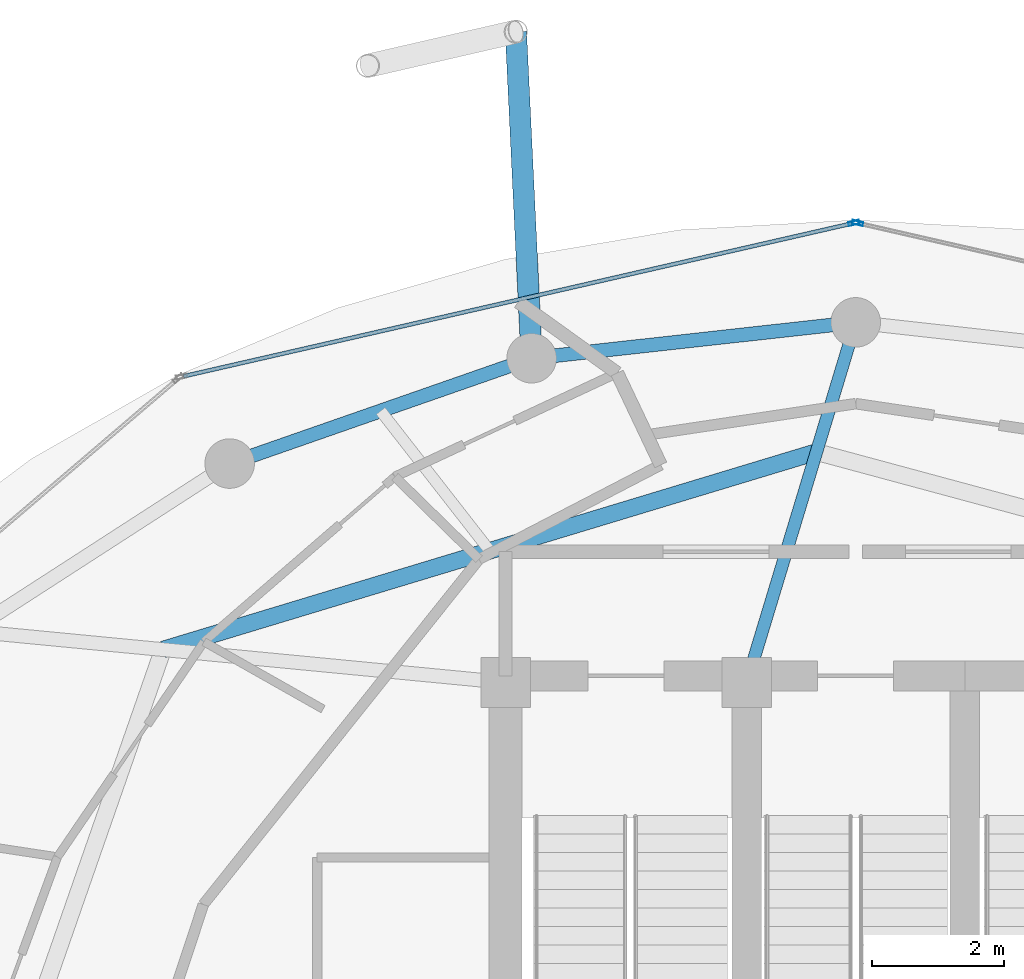
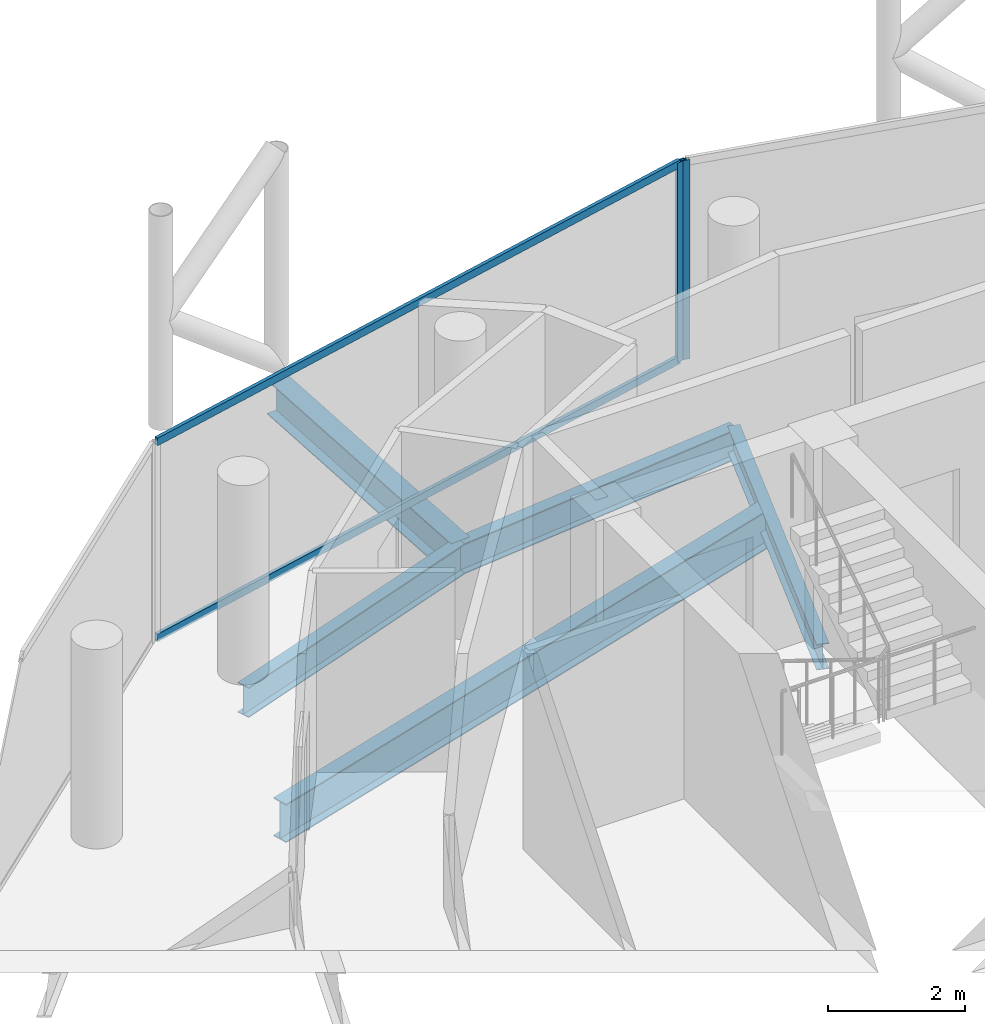
# One storey, part 16 of 24: 5 beams, 4 members, 2 elements without a shape of their own.
"""IFC4 building model written with IfcOpenShell, lengths in metres."""

from ifc_helpers import new_model, si_unit, direction, frame, origin, origin_2d, place, context, subcontext, project, spatial, hollow_rectangle, i_section, extrude, material, layer, layer_set, material_profile, profile_set, type_object, element, aggregate, save


model = new_model("IFC4")

# Units and contexts
model_context = context("Model", 3, precision=1e-05, world=origin(), true_north=direction((0.0, 1.0)))
body_context = subcontext(model_context, "Body", "Model", "MODEL_VIEW")
ifc_project = project(units=[si_unit("LENGTHUNIT", "METRE"), si_unit("AREAUNIT", "SQUARE_METRE"), si_unit("VOLUMEUNIT", "CUBIC_METRE"), si_unit("PLANEANGLEUNIT", "RADIAN"), si_unit("MASSUNIT", "GRAM", prefix="KILO")], contexts=[model_context])

# Site, building, storey
site_placement = place(None, origin())
site = spatial("IfcSite", under=ifc_project, at=site_placement, CompositionType="ELEMENT")
building_placement = place(site_placement, origin())
building = spatial("IfcBuilding", under=site, at=building_placement, Name="Nuhasar Tower", CompositionType="ELEMENT")
storey_placement = place(building_placement, frame((0.0, 0.0, 286.0)))
storey = spatial("IfcBuildingStorey", under=building, at=storey_placement, Name="L71", CompositionType="ELEMENT", Elevation=286.0)

# Beams
ifc_material_1 = material(Name="Steel S355", Category="steel")
ifc_material_profile_1 = material_profile(ifc_material_1, i_section(OverallWidth=0.25390625, OverallDepth=0.68408203125, WebThickness=0.012451171875, FlangeThickness=0.018798828125, at=origin_2d()), Name="W27X94")
ifc_profile_set_1 = profile_set([ifc_material_profile_1], Name="Steel S355")
beam_type_1 = type_object("IfcBeamType", Name="BM-INRING-W27X94", PredefinedType="BEAM", material=ifc_profile_set_1)
beam_1_placement = place(storey_placement, frame((38.406005859375, 40.7880859375, -0.60205078125), z_axis=(-0.957210818407, -0.289391515294, 0.0), x_axis=(0.289391515294, -0.957210818407, 0.0)))
element("IfcBeam", 1, at=beam_1_placement, inside=storey, type_object=beam_type_1, Name="L71 Inner Header Beam 06", PredefinedType="BEAM", context=body_context, shape_type="SweptSolid", body=[
    extrude(i_section(OverallWidth=0.25390625, OverallDepth=0.68408203125, WebThickness=0.012451171875, FlangeThickness=0.018798828125, at=origin_2d()), origin(), (0.0, 0.0, 1.0), 10.33203125),
])
ifc_material_profile_2 = material_profile(ifc_material_1, i_section(OverallWidth=0.18994140625, OverallDepth=0.45703125, WebThickness=0.009033203125, FlangeThickness=0.014404296875, at=origin_2d()), Name="W18X50")
ifc_profile_set_2 = profile_set([ifc_material_profile_2], Name="Steel S355")
beam_type_2 = type_object("IfcBeamType", Name="BM-RAD-W18X50", PredefinedType="BEAM", material=ifc_profile_set_2)
beam_2_placement = place(storey_placement, frame((37.35009765625, 37.300048828125, -0.488037109375), z_axis=(0.289750350206, 0.957102259195, 0.0), x_axis=(-0.957102259195, 0.289750350206, 0.0)))
element("IfcBeam", 2, at=beam_2_placement, inside=storey, type_object=beam_type_2, Name="L71 Radial Floor Girder 06", PredefinedType="BEAM", context=body_context, shape_type="SweptSolid", body=[
    extrude(i_section(OverallWidth=0.18994140625, OverallDepth=0.45703125, WebThickness=0.009033203125, FlangeThickness=0.014404296875, at=origin_2d()), origin(), (0.0, 0.0, 1.0), 5.6943359375),
])
ifc_material_profile_3 = material_profile(ifc_material_1, i_section(OverallWidth=0.2099609375, OverallDepth=0.537109375, WebThickness=0.010986328125, FlangeThickness=0.017333984375, at=origin_2d()), Name="W21X68")
ifc_profile_set_3 = profile_set([ifc_material_profile_3], Name="Steel S355")
beam_type_3 = type_object("IfcBeamType", Name="BM-RING-W21X68", PredefinedType="SPANDREL", material=ifc_profile_set_3)
beam_3_placement = place(storey_placement, frame((39.0, 42.75, -0.529052734375), z_axis=(-0.99392889943, -0.110024283128, 0.0), x_axis=(0.110024283128, -0.99392889943, 0.0)))
element("IfcBeam", 3, at=beam_3_placement, inside=storey, type_object=beam_type_3, Name="L71 Perimeter Ring Spandrel 07", PredefinedType="SPANDREL", context=body_context, shape_type="SweptSolid", body=[
    extrude(i_section(OverallWidth=0.2099609375, OverallDepth=0.537109375, WebThickness=0.010986328125, FlangeThickness=0.017333984375, at=origin_2d()), origin(), (0.0, 0.0, 1.0), 4.93505859375),
])
beam_4_placement = place(storey_placement, frame((34.094970703125, 42.20703125, -0.529052734375), z_axis=(-0.944214043504, -0.329332415729, 0.0), x_axis=(0.329332415729, -0.944214043504, 0.0)))
element("IfcBeam", 4, at=beam_4_placement, inside=storey, type_object=beam_type_3, Name="L71 Perimeter Ring Spandrel 08", PredefinedType="SPANDREL", context=body_context, shape_type="SweptSolid", body=[
    extrude(i_section(OverallWidth=0.2099609375, OverallDepth=0.537109375, WebThickness=0.010986328125, FlangeThickness=0.017333984375, at=origin_2d()), origin(), (0.0, 0.0, 1.0), 4.840087890625),
])
ifc_material_profile_4 = material_profile(ifc_material_1, i_section(OverallWidth=0.323974609375, OverallDepth=0.611083984375, WebThickness=0.0126953125, FlangeThickness=0.01904296875, at=origin_2d()), Name="W24X104")
ifc_profile_set_4 = profile_set([ifc_material_profile_4], Name="Steel S355")
beam_type_4 = type_object("IfcBeamType", Name="BM-TIE-W24X104", PredefinedType="BEAM", material=ifc_profile_set_4)
beam_5_placement = place(storey_placement, frame((34.094970703125, 42.20703125, -0.56494140625), z_axis=(-0.048111398417, 0.998841976162, 0.0), x_axis=(-0.998841976162, -0.048111398417, 0.0)))
element("IfcBeam", 5, at=beam_5_placement, inside=storey, type_object=beam_type_4, Name="L71 Exoskeleton Node Tie Beam 04", PredefinedType="BEAM", context=body_context, shape_type="SweptSolid", body=[
    extrude(i_section(OverallWidth=0.323974609375, OverallDepth=0.611083984375, WebThickness=0.0126953125, FlangeThickness=0.01904296875, at=origin_2d()), origin(), (0.0, 0.0, 1.0), 4.947509765625),
])

# Curtain wall, member
ifc_material_2 = material(Name="Aluminium 6063-T6", Category="aluminium")
ifc_layer = layer(ifc_material_2, 0.18994140625)
ifc_layer_set = layer_set([ifc_layer], Name="Aluminium 6063-T6")
curtain_wall_type = type_object("IfcCurtainWallType", Name="CW-Z4-PEN", PredefinedType="NOTDEFINED", material=ifc_layer_set)
curtain_wall_1_placement = place(storey_placement, origin())
curtain_wall_1 = element("IfcCurtainWall", 6, at=curtain_wall_1_placement, inside=storey, type_object=curtain_wall_type, Name="L71 Unitised Curtain Wall 03", PredefinedType="NOTDEFINED")
ifc_material_profile_5 = material_profile(ifc_material_2, hollow_rectangle(XDim=0.06005859375, YDim=0.1650390625, WallThickness=0.0048828125, at=origin_2d()), Name="CWM-5")
ifc_profile_set_5 = profile_set([ifc_material_profile_5], Name="Aluminium 6063-T6")
member_type_1 = type_object("IfcMemberType", Name="CW-MUL-S5", PredefinedType="MULLION", material=ifc_profile_set_5)
member_1_placement = place(storey_placement, frame((39.029296875, 44.25341796875, 0.0), z_axis=(0.0, 0.0, 1.0), x_axis=(-0.222889487645, -0.97484371891, 0.0)))
member_1 = element("IfcMember", 7, at=member_1_placement, type_object=member_type_1, Name="CW-Z4 mullion 2", PredefinedType="MULLION", context=body_context, shape_type="SweptSolid", body=[
    extrude(hollow_rectangle(XDim=0.06005859375, YDim=0.1650390625, WallThickness=0.0048828125, at=origin_2d()), origin(), (0.0, 0.0, 1.0), 3.5400390625),
])
aggregate(curtain_wall_1, [member_1])

# Curtain wall, members
curtain_wall_2_placement = place(storey_placement, origin())
curtain_wall_2 = element("IfcCurtainWall", 8, at=curtain_wall_2_placement, inside=storey, type_object=curtain_wall_type, Name="L71 Unitised Curtain Wall 04", PredefinedType="NOTDEFINED")
member_2_placement = place(storey_placement, frame((38.970703125, 44.25341796875, 0.0), z_axis=(0.0, 0.0, 1.0), x_axis=(0.222889487645, -0.97484371891, 0.0)))
member_2 = element("IfcMember", 9, at=member_2_placement, type_object=member_type_1, Name="CW-Z4 mullion 1", PredefinedType="MULLION", context=body_context, shape_type="SweptSolid", body=[
    extrude(hollow_rectangle(XDim=0.06005859375, YDim=0.1650390625, WallThickness=0.0048828125, at=origin_2d()), origin(), (0.0, 0.0, 1.0), 3.5400390625),
])
ifc_material_profile_6 = material_profile(ifc_material_2, hollow_rectangle(XDim=0.06005859375, YDim=0.135009765625, WallThickness=0.00439453125, at=origin_2d()), Name="CWT-5")
ifc_profile_set_6 = profile_set([ifc_material_profile_6], Name="Aluminium 6063-T6")
member_type_2 = type_object("IfcMemberType", Name="CW-TRN-S5", PredefinedType="USERDEFINED", material=ifc_profile_set_6)
member_3_placement = place(storey_placement, frame((38.94140625, 44.24658203125, 0.030029296875), z_axis=(-0.974843752401, -0.222889341163, 0.0), x_axis=(0.222889341163, -0.974843752401, 0.0)))
member_3 = element("IfcMember", 10, at=member_3_placement, type_object=member_type_2, Name="CW-Z4 transom 1.1", ObjectType="TRANSOM", PredefinedType="USERDEFINED", context=body_context, shape_type="SweptSolid", body=[
    extrude(hollow_rectangle(XDim=0.06005859375, YDim=0.135009765625, WallThickness=0.00439453125, at=origin_2d()), origin(), (0.0, 0.0, 1.0), 10.3740234375),
])
member_4_placement = place(storey_placement, frame((38.94140625, 44.24658203125, 3.510009765625), z_axis=(-0.974843752401, -0.222889341163, 0.0), x_axis=(0.222889341163, -0.974843752401, 0.0)))
member_4 = element("IfcMember", 11, at=member_4_placement, type_object=member_type_2, Name="CW-Z4 transom 1.2", ObjectType="TRANSOM", PredefinedType="USERDEFINED", context=body_context, shape_type="SweptSolid", body=[
    extrude(hollow_rectangle(XDim=0.06005859375, YDim=0.135009765625, WallThickness=0.00439453125, at=origin_2d()), origin(), (0.0, 0.0, 1.0), 10.3740234375),
])
aggregate(curtain_wall_2, [member_2, member_3, member_4])

save(model, "model.ifc")
